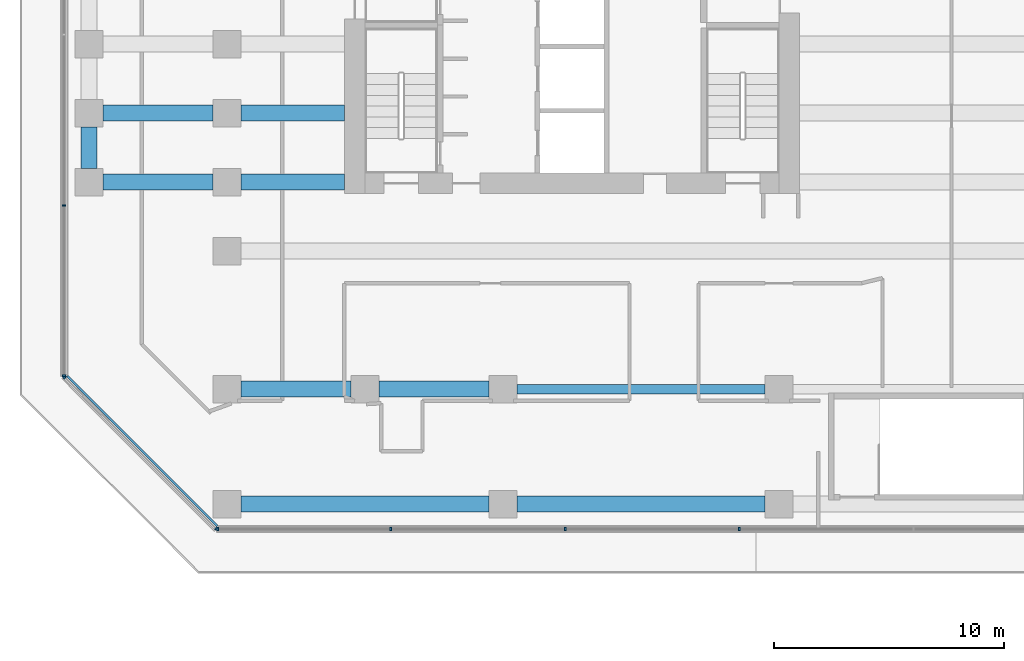
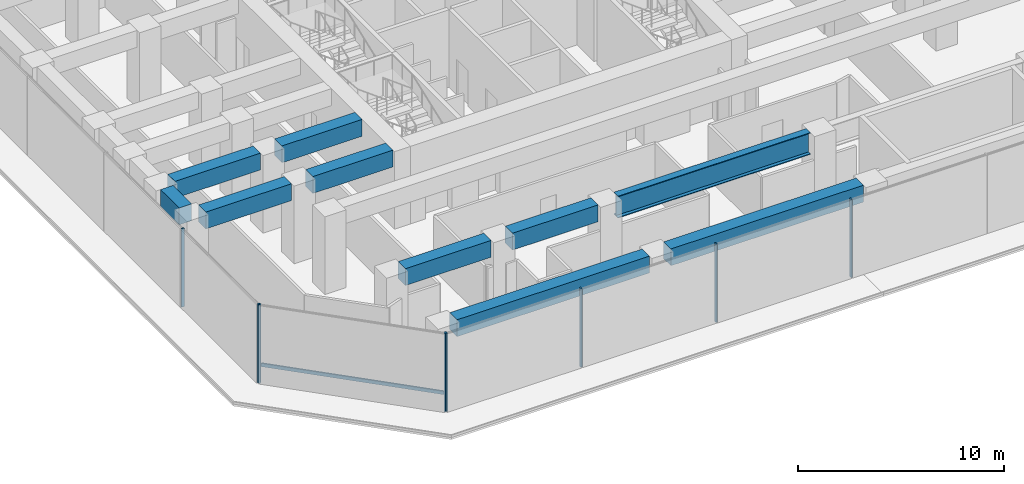
# One storey, part 2 of 40: 10 beams, 9 members, 3 elements without a shape of their own.
"""IFC4 building model written with IfcOpenShell, lengths in metres."""

from ifc_helpers import new_model, si_unit, direction, frame, origin, origin_2d, place, context, subcontext, project, spatial, rectangle, i_section, extrude, material, layer, layer_set, material_profile, profile_set, type_object, element, aggregate, save


model = new_model("IFC4")

# Units and contexts
model_context = context("Model", 3, precision=1e-05, world=origin(), true_north=direction((0.0, 1.0)))
body_context = subcontext(model_context, "Body", "Model", "MODEL_VIEW")
ifc_project = project(units=[si_unit("LENGTHUNIT", "METRE"), si_unit("AREAUNIT", "SQUARE_METRE"), si_unit("VOLUMEUNIT", "CUBIC_METRE"), si_unit("PLANEANGLEUNIT", "RADIAN"), si_unit("MASSUNIT", "GRAM", prefix="KILO")], contexts=[model_context])

# Site, building, storey
site_placement = place(None, origin())
site = spatial("IfcSite", under=ifc_project, at=site_placement, CompositionType="ELEMENT")
building_placement = place(site_placement, origin())
building = spatial("IfcBuilding", under=site, at=building_placement, Name="Welwitschia Terrace Campus", CompositionType="ELEMENT")
storey_placement = place(building_placement, frame((0.0, 0.0, 6.0)))
storey = spatial("IfcBuildingStorey", under=building, at=storey_placement, Name="L01", CompositionType="ELEMENT", Elevation=6.0)

# Beams
ifc_material_1 = material(Name="Concrete C60/75", Category="concrete")
ifc_material_profile_1 = material_profile(ifc_material_1, rectangle(XDim=0.699951171875, YDim=1.0, at=origin_2d()))
ifc_profile_set_1 = profile_set([ifc_material_profile_1], Name="Concrete C60/75")
beam_type_1 = type_object("IfcBeamType", Name="Base block beam 700x1000", PredefinedType="BEAM", material=ifc_profile_set_1)
for number, where, z_axis, x_axis, name in (
    (1, (0.6005859375, -9.0, 4.10009765625), (1.0, 0.0, 0.0), (0.0, 1.0, 0.0), "Beam BB1"),
    (2, (12.6005859375, -9.0, 4.10009765625), (1.0, 0.0, 0.0), (0.0, 1.0, 0.0), "Beam BB1"),
):
    element("IfcBeam", number, at=place(storey_placement, frame(where, z_axis=z_axis, x_axis=x_axis)), inside=storey, type_object=beam_type_1, Name=name, PredefinedType="BEAM", context=body_context, shape_type="SweptSolid", body=[
        extrude(rectangle(XDim=0.699951171875, YDim=1.0, at=origin_2d()), origin(), (0.0, 0.0, 1.0), 10.798828125),
    ])
for number, where, z_axis, x_axis, name in (
    (3, (0.6005859375, -4.0, 4.10009765625), (1.0, 0.0, 0.0), (0.0, 1.0, 0.0), "Beam BB1"),
    (4, (6.6005859375, -4.0, 4.10009765625), (1.0, 0.0, 0.0), (0.0, 1.0, 0.0), "Beam BB1"),
    (5, (-5.3994140625, 5.0, 4.10009765625), (1.0, 0.0, 0.0), (0.0, 1.0, 0.0), "Beam BB1"),
):
    element("IfcBeam", number, at=place(storey_placement, frame(where, z_axis=z_axis, x_axis=x_axis)), inside=storey, type_object=beam_type_1, Name=name, PredefinedType="BEAM", context=body_context, shape_type="SweptSolid", body=[
        extrude(rectangle(XDim=0.699951171875, YDim=1.0, at=origin_2d()), origin(), (0.0, 0.0, 1.0), 4.798828125),
    ])
beam_1_placement = place(storey_placement, frame((0.6005859375, 5.0, 4.10009765625), z_axis=(1.0, 0.0, 0.0), x_axis=(0.0, 1.0, 0.0)))
element("IfcBeam", 6, at=beam_1_placement, inside=storey, type_object=beam_type_1, Name="Beam BB1", PredefinedType="BEAM", context=body_context, shape_type="SweptSolid", body=[
    extrude(rectangle(XDim=0.699951171875, YDim=1.0, at=origin_2d()), origin(), (0.0, 0.0, 1.0), 4.49951171875),
])
beam_2_placement = place(storey_placement, frame((-5.3994140625, 8.0, 4.10009765625), z_axis=(1.0, 0.0, 0.0), x_axis=(0.0, 1.0, 0.0)))
element("IfcBeam", 7, at=beam_2_placement, inside=storey, type_object=beam_type_1, Name="Beam BB1", PredefinedType="BEAM", context=body_context, shape_type="SweptSolid", body=[
    extrude(rectangle(XDim=0.699951171875, YDim=1.0, at=origin_2d()), origin(), (0.0, 0.0, 1.0), 4.798828125),
])
beam_3_placement = place(storey_placement, frame((0.6005859375, 8.0, 4.10009765625), z_axis=(1.0, 0.0, 0.0), x_axis=(0.0, 1.0, 0.0)))
element("IfcBeam", 8, at=beam_3_placement, inside=storey, type_object=beam_type_1, Name="Beam BB1", PredefinedType="BEAM", context=body_context, shape_type="SweptSolid", body=[
    extrude(rectangle(XDim=0.699951171875, YDim=1.0, at=origin_2d()), origin(), (0.0, 0.0, 1.0), 4.49951171875),
])
beam_4_placement = place(storey_placement, frame((-6.0, 5.6005859375, 4.10009765625), z_axis=(0.0, 1.0, 0.0), x_axis=(-1.0, 0.0, 0.0)))
element("IfcBeam", 9, at=beam_4_placement, inside=storey, type_object=beam_type_1, Name="Beam BB1", PredefinedType="BEAM", context=body_context, shape_type="SweptSolid", body=[
    extrude(rectangle(XDim=0.699951171875, YDim=1.0, at=origin_2d()), origin(), (0.0, 0.0, 1.0), 1.798828125),
])

# Curtain wall, members
ifc_material_2 = material(Name="Bronze anodised aluminium", Category="aluminium")
ifc_layer = layer(ifc_material_2, 0.14990234375)
ifc_layer_set = layer_set([ifc_layer], Name="Bronze anodised aluminium")
curtain_wall_type = type_object("IfcCurtainWallType", Name="Curtain wall CW1 podium 7500", PredefinedType="NOTDEFINED", material=ifc_layer_set)
curtain_wall_1_placement = place(storey_placement, origin())
curtain_wall_1 = element("IfcCurtainWall", 10, at=curtain_wall_1_placement, inside=storey, type_object=curtain_wall_type, Name="CW L01.0.0", PredefinedType="NOTDEFINED")
ifc_material_3 = material(Name="Bronze anodised aluminium", Category="aluminium")
ifc_material_profile_2 = material_profile(ifc_material_3, rectangle(XDim=0.14990234375, YDim=0.080078125, at=origin_2d()))
ifc_profile_set_2 = profile_set([ifc_material_profile_2], Name="Bronze anodised aluminium")
member_type_1 = type_object("IfcMemberType", Name="Mullion 80x150", PredefinedType="MULLION", material=ifc_profile_set_2)
member_1_placement = place(storey_placement, frame((-0.409423828125, -10.0849609375, 0.0), z_axis=(0.0, 0.0, 1.0), x_axis=(0.0, 1.0, 0.0)))
member_1 = element("IfcMember", 11, at=member_1_placement, type_object=member_type_1, Name="Mullion L01.0.0.0", PredefinedType="MULLION", context=body_context, shape_type="SweptSolid", body=[
    extrude(rectangle(XDim=0.14990234375, YDim=0.080078125, at=origin_2d()), origin(), (0.0, 0.0, 1.0), 4.64990234375),
])
member_2_placement = place(storey_placement, frame((7.12548828125, -10.0849609375, 0.0), z_axis=(0.0, 0.0, 1.0), x_axis=(0.0, 1.0, 0.0)))
member_2 = element("IfcMember", 12, at=member_2_placement, type_object=member_type_1, Name="Mullion L01.0.0.1", PredefinedType="MULLION", context=body_context, shape_type="SweptSolid", body=[
    extrude(rectangle(XDim=0.14990234375, YDim=0.080078125, at=origin_2d()), origin(), (0.0, 0.0, 1.0), 4.64990234375),
])
member_3_placement = place(storey_placement, frame((14.700439453125, -10.0849609375, 0.0), z_axis=(0.0, 0.0, 1.0), x_axis=(0.0, 1.0, 0.0)))
member_3 = element("IfcMember", 13, at=member_3_placement, type_object=member_type_1, Name="Mullion L01.0.0.2", PredefinedType="MULLION", context=body_context, shape_type="SweptSolid", body=[
    extrude(rectangle(XDim=0.14990234375, YDim=0.080078125, at=origin_2d()), origin(), (0.0, 0.0, 1.0), 4.64990234375),
])
member_4_placement = place(storey_placement, frame((22.275390625, -10.0849609375, 0.0), z_axis=(0.0, 0.0, 1.0), x_axis=(0.0, 1.0, 0.0)))
member_4 = element("IfcMember", 14, at=member_4_placement, type_object=member_type_1, Name="Mullion L01.0.0.3", PredefinedType="MULLION", context=body_context, shape_type="SweptSolid", body=[
    extrude(rectangle(XDim=0.14990234375, YDim=0.080078125, at=origin_2d()), origin(), (0.0, 0.0, 1.0), 4.64990234375),
])
aggregate(curtain_wall_1, [member_1, member_2, member_3, member_4])

curtain_wall_2_placement = place(storey_placement, origin())
curtain_wall_2 = element("IfcCurtainWall", 15, at=curtain_wall_2_placement, inside=storey, type_object=curtain_wall_type, Name="CW L01.6.0", PredefinedType="NOTDEFINED")
member_5_placement = place(storey_placement, frame((-7.0849609375, 3.98388671875, 0.0), z_axis=(0.0, 0.0, 1.0), x_axis=(1.0, 0.0, 0.0)))
member_5 = element("IfcMember", 16, at=member_5_placement, type_object=member_type_1, Name="Mullion L01.6.0.8", PredefinedType="MULLION", context=body_context, shape_type="SweptSolid", body=[
    extrude(rectangle(XDim=0.14990234375, YDim=0.080078125, at=origin_2d()), origin(), (0.0, 0.0, 1.0), 4.64990234375),
])
member_6_placement = place(storey_placement, frame((-7.0849609375, -3.409423828125, 0.0), z_axis=(0.0, 0.0, 1.0), x_axis=(1.0, 0.0, 0.0)))
member_6 = element("IfcMember", 17, at=member_6_placement, type_object=member_type_1, Name="Mullion L01.6.0.9", PredefinedType="MULLION", context=body_context, shape_type="SweptSolid", body=[
    extrude(rectangle(XDim=0.14990234375, YDim=0.080078125, at=origin_2d()), origin(), (0.0, 0.0, 1.0), 4.64990234375),
])
aggregate(curtain_wall_2, [member_5, member_6])

curtain_wall_3_placement = place(storey_placement, origin())
curtain_wall_3 = element("IfcCurtainWall", 18, at=curtain_wall_3_placement, inside=storey, type_object=curtain_wall_type, Name="CW L01.7.0", PredefinedType="NOTDEFINED")
member_7_placement = place(storey_placement, frame((-7.056640625, -3.477783203125, 0.0), z_axis=(0.0, 0.0, 1.0), x_axis=(0.707106781187, 0.707106781187, 0.0)))
member_7 = element("IfcMember", 19, at=member_7_placement, type_object=member_type_1, Name="Mullion L01.7.0.0", PredefinedType="MULLION", context=body_context, shape_type="SweptSolid", body=[
    extrude(rectangle(XDim=0.14990234375, YDim=0.080078125, at=origin_2d()), origin(), (0.0, 0.0, 1.0), 4.64990234375),
])
member_8_placement = place(storey_placement, frame((-0.477783203125, -10.056640625, 0.0), z_axis=(0.0, 0.0, 1.0), x_axis=(0.707106781187, 0.707106781187, 0.0)))
member_8 = element("IfcMember", 20, at=member_8_placement, type_object=member_type_1, Name="Mullion L01.7.0.1", PredefinedType="MULLION", context=body_context, shape_type="SweptSolid", body=[
    extrude(rectangle(XDim=0.14990234375, YDim=0.080078125, at=origin_2d()), origin(), (0.0, 0.0, 1.0), 4.64990234375),
])

# Beam
ifc_material_4 = material(Name="Steel S355", Category="steel")
ifc_material_profile_3 = material_profile(ifc_material_4, i_section(OverallWidth=0.39990234375, OverallDepth=1.300048828125, WebThickness=0.02490234375, FlangeThickness=0.0400390625, at=origin_2d()))
ifc_profile_set_3 = profile_set([ifc_material_profile_3], Name="Steel S355")
beam_type_2 = type_object("IfcBeamType", Name="Transfer girder WI 1300x400x25x40", PredefinedType="BEAM", material=ifc_profile_set_3)
beam_5_placement = place(storey_placement, frame((12.6005859375, -4.0, 3.949951171875), z_axis=(1.0, 0.0, 0.0), x_axis=(0.0, 1.0, 0.0)))
element("IfcBeam", 21, at=beam_5_placement, inside=storey, type_object=beam_type_2, Name="Transfer girder TG1", PredefinedType="BEAM", context=body_context, shape_type="SweptSolid", body=[
    extrude(i_section(OverallWidth=0.39990234375, OverallDepth=1.300048828125, WebThickness=0.02490234375, FlangeThickness=0.0400390625, at=origin_2d()), origin(), (0.0, 0.0, 1.0), 10.798828125),
])

# Member
ifc_material_5 = material(Name="Bronze anodised aluminium", Category="aluminium")
ifc_material_profile_4 = material_profile(ifc_material_5, rectangle(XDim=0.080078125, YDim=0.199951171875, at=origin_2d()))
ifc_profile_set_4 = profile_set([ifc_material_profile_4], Name="Bronze anodised aluminium")
member_type_2 = type_object("IfcMemberType", Name="Transom 80x200", PredefinedType="USERDEFINED", material=ifc_profile_set_4)
member_9_placement = place(storey_placement, frame((-6.947021484375, -3.424560546875, 1.0), z_axis=(0.707106781187, -0.707106781187, 0.0), x_axis=(0.707106781187, 0.707106781187, 0.0)))
member_9 = element("IfcMember", 22, at=member_9_placement, type_object=member_type_2, Name="Transom L01.7.0", ObjectType="TRANSOM", PredefinedType="USERDEFINED", context=body_context, shape_type="SweptSolid", body=[
    extrude(rectangle(XDim=0.080078125, YDim=0.199951171875, at=origin_2d()), origin(), (0.0, 0.0, 1.0), 9.22412109375),
])

aggregate(curtain_wall_3, [member_7, member_8, member_9])

save(model, "model.ifc")
